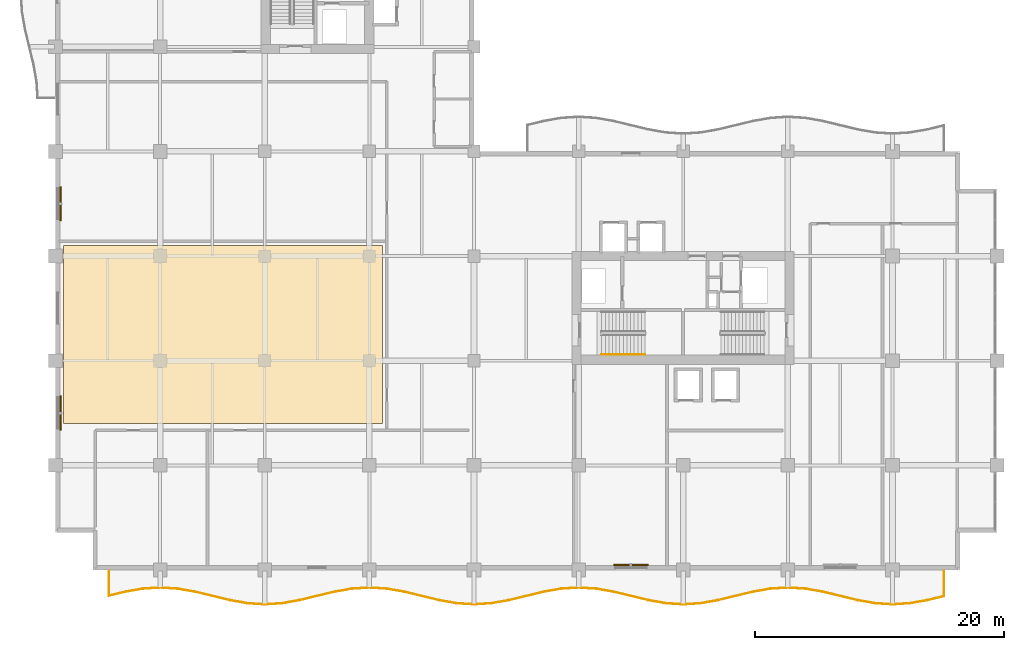
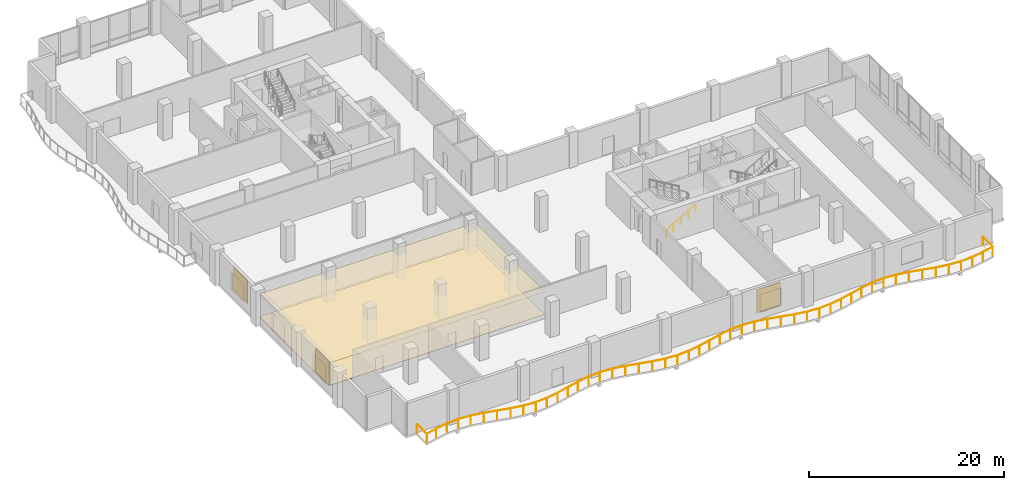
# One storey, part 22 of 25: 3 shading devices, 2 coverings, 2 railings.
"""IFC4 building model written with IfcOpenShell, lengths in metres."""

from ifc_helpers import new_model, si_unit, direction, frame, origin, origin_2d, place, context, subcontext, project, spatial, polyline, rectangle, circle, outline, extrude, material, layer, layer_set, type_object, element, save


model = new_model("IFC4")

# Units and contexts
model_context = context("Model", 3, precision=1e-05, world=origin(), true_north=direction((0.0, 1.0)))
body_context = subcontext(model_context, "Body", "Model", "MODEL_VIEW")
ifc_project = project(units=[si_unit("LENGTHUNIT", "METRE"), si_unit("AREAUNIT", "SQUARE_METRE"), si_unit("VOLUMEUNIT", "CUBIC_METRE"), si_unit("PLANEANGLEUNIT", "RADIAN"), si_unit("MASSUNIT", "GRAM", prefix="KILO")], contexts=[model_context])

# Site, building, storey
site_placement = place(None, origin())
site = spatial("IfcSite", under=ifc_project, at=site_placement, CompositionType="ELEMENT")
building_placement = place(site_placement, origin())
building = spatial("IfcBuilding", under=site, at=building_placement, Name="Koriwani Terraces Tower", CompositionType="ELEMENT")
storey_placement = place(building_placement, frame((0.0, 0.0, 157.60009765625)))
storey = spatial("IfcBuildingStorey", under=building, at=storey_placement, Name="L38", CompositionType="ELEMENT", Elevation=157.60009765625)

# Coverings
ifc_material_1 = material(Name="Fire-Rated Acoustic Gypsum Partition", Category="masonry")
ifc_layer_1 = layer(ifc_material_1, 0.02490234375, Name="Fire-Rated Acoustic Gypsum Partition")
ifc_layer_set_1 = layer_set([ifc_layer_1], Name="Fire-Rated Acoustic Gypsum Partition")
covering_type_1 = type_object("IfcCoveringType", Name="CEILING_ACOUSTIC_GYPSUM", PredefinedType="CEILING", material=ifc_layer_set_1)
covering_1_placement = place(storey_placement, frame((0.0, 0.0, 2.824951171875)))
element("IfcCovering", 1, at=covering_1_placement, inside=storey, type_object=covering_type_1, Name="L38 Suspended Acoustic Gypsum Ceiling", PredefinedType="CEILING", context=body_context, shape_type="SweptSolid", body=[
    extrude(outline(polyline([(0.64990234375, 11.75), (0.64990234375, 26.050048828125), (26.25, 26.050048828125), (26.25, 11.75), (0.64990234375, 11.75)])), origin(), (0.0, 0.0, 1.0), 0.02490234375),
])
ifc_material_2 = material(Name="Polished Andean Slate Flooring", Category="masonry")
ifc_layer_2 = layer(ifc_material_2, 0.030029296875, Name="Polished Andean Slate Flooring")
ifc_layer_set_2 = layer_set([ifc_layer_2], Name="Polished Andean Slate Flooring")
covering_type_2 = type_object("IfcCoveringType", Name="FLOORING_ANDEAN_STONE", PredefinedType="FLOORING", material=ifc_layer_set_2)
covering_2_placement = place(storey_placement, origin())
element("IfcCovering", 2, at=covering_2_placement, inside=storey, type_object=covering_type_2, Name="L38 Polished Andean Slate Floor Finish", PredefinedType="FLOORING", context=body_context, shape_type="SweptSolid", body=[
    extrude(outline(polyline([(0.64990234375, 11.75), (0.64990234375, 26.050048828125), (26.25, 26.050048828125), (26.25, 11.75), (0.64990234375, 11.75)])), origin(), (0.0, 0.0, 1.0), 0.02978515625),
])

# Railings
ifc_material_3 = material(Name="Steel ASTM A572 Grade 50", Category="steel")
railing_type_1 = type_object("IfcRailingType", Name="GUARD_BALUSTRADE_1150", PredefinedType="BALUSTRADE", material=ifc_material_3)
railing_1_placement = place(storey_placement, frame((4.280029296875, -0.080078125, 0.0)))
element("IfcRailing", 3, at=railing_1_placement, inside=storey, type_object=railing_type_1, Name="L38 Balcony Perimeter Safety Balustrade (S)", PredefinedType="BALUSTRADE", context=body_context, shape_type="SweptSolid", body=[
    extrude(circle(Radius=0.02392578125, at=origin_2d()), frame((0.0, 0.0, 1.1259765625), z_axis=(0.0, -1.0, 0.0), x_axis=(1.0, 0.0, 0.0)), (0.0, 0.0, 1.0), 1.993408203125),
    extrude(circle(Radius=0.02392578125, at=origin_2d()), frame((0.0, -1.993408203125, 1.1259765625), z_axis=(0.972163766848, 0.234302390999, 0.0), x_axis=(-0.234302390999, 0.972163766848, 0.0)), (0.0, 0.0, 1.0), 1.341064453125),
    extrude(circle(Radius=0.02392578125, at=origin_2d()), frame((1.3037109375, -1.67919921875, 1.1259765625), z_axis=(0.984778396698, 0.173814583381, 0.0), x_axis=(-0.173814583381, 0.984778396698, 0.0)), (0.0, 0.0, 1.0), 1.428466796875),
    extrude(circle(Radius=0.02392578125, at=origin_2d()), frame((2.71044921875, -1.430908203125, 1.1259765625), z_axis=(0.997930321615, 0.064304534842, 0.0), x_axis=(-0.064304534842, 0.997930321615, 0.0)), (0.0, 0.0, 1.0), 1.412353515625),
    extrude(circle(Radius=0.02392578125, at=origin_2d()), frame((4.119873046875, -1.340087890625, 1.1259765625), z_axis=(0.997931036226, -0.064293443969, 0.0), x_axis=(0.064293443969, 0.997931036226, 0.0)), (0.0, 0.0, 1.0), 1.41259765625),
    extrude(circle(Radius=0.02392578125, at=origin_2d()), frame((5.529541015625, -1.430908203125, 1.1259765625), z_axis=(0.984778396698, -0.173814583381, 0.0), x_axis=(0.173814583381, 0.984778396698, 0.0)), (0.0, 0.0, 1.0), 1.428466796875),
    extrude(circle(Radius=0.02392578125, at=origin_2d()), frame((6.936279296875, -1.67919921875, 1.1259765625), z_axis=(0.972166814785, -0.234289744186, 0.0), x_axis=(0.234289744186, 0.972166814785, 0.0)), (0.0, 0.0, 1.0), 2.880126953125),
    extrude(circle(Radius=0.02392578125, at=origin_2d()), frame((9.736328125, -2.35400390625, 1.1259765625), z_axis=(0.984757491153, -0.173932985997, 0.0), x_axis=(0.173932985997, 0.984757491153, 0.0)), (0.0, 0.0, 1.0), 1.414794921875),
    extrude(circle(Radius=0.02392578125, at=origin_2d()), frame((11.129638671875, -2.60009765625, 1.1259765625), z_axis=(0.997930027485, -0.064309099225, 0.0), x_axis=(0.064309099225, 0.997930027485, 0.0)), (0.0, 0.0, 1.0), 1.393310546875),
    extrude(circle(Radius=0.02392578125, at=origin_2d()), frame((12.52001953125, -2.689697265625, 1.1259765625), z_axis=(0.997930027485, 0.064309099225, 0.0), x_axis=(-0.064309099225, 0.997930027485, 0.0)), (0.0, 0.0, 1.0), 1.393310546875),
    extrude(circle(Radius=0.02392578125, at=origin_2d()), frame((13.910400390625, -2.60009765625, 1.1259765625), z_axis=(0.984757491153, 0.173932985997, 0.0), x_axis=(-0.173932985997, 0.984757491153, 0.0)), (0.0, 0.0, 1.0), 1.414794921875),
    extrude(circle(Radius=0.02392578125, at=origin_2d()), frame((15.3037109375, -2.35400390625, 1.1259765625), z_axis=(0.972166814785, 0.234289744186, 0.0), x_axis=(-0.234289744186, 0.972166814785, 0.0)), (0.0, 0.0, 1.0), 2.880126953125),
    extrude(circle(Radius=0.02392578125, at=origin_2d()), frame((18.103759765625, -1.67919921875, 1.1259765625), z_axis=(0.984778396698, 0.173814583381, 0.0), x_axis=(-0.173814583381, 0.984778396698, 0.0)), (0.0, 0.0, 1.0), 1.428466796875),
    extrude(circle(Radius=0.02392578125, at=origin_2d()), frame((19.510498046875, -1.430908203125, 1.1259765625), z_axis=(0.997930321615, 0.064304534842, 0.0), x_axis=(-0.064304534842, 0.997930321615, 0.0)), (0.0, 0.0, 1.0), 1.412353515625),
    extrude(circle(Radius=0.02392578125, at=origin_2d()), frame((20.919921875, -1.340087890625, 1.1259765625), z_axis=(0.997931036226, -0.064293443969, 0.0), x_axis=(0.064293443969, 0.997931036226, 0.0)), (0.0, 0.0, 1.0), 1.41259765625),
    extrude(circle(Radius=0.02392578125, at=origin_2d()), frame((22.32958984375, -1.430908203125, 1.1259765625), z_axis=(0.984778396698, -0.173814583381, 0.0), x_axis=(0.173814583381, 0.984778396698, 0.0)), (0.0, 0.0, 1.0), 1.428466796875),
    extrude(circle(Radius=0.02392578125, at=origin_2d()), frame((23.736328125, -1.67919921875, 1.1259765625), z_axis=(0.972166814785, -0.234289744186, 0.0), x_axis=(0.234289744186, 0.972166814785, 0.0)), (0.0, 0.0, 1.0), 2.880126953125),
    extrude(circle(Radius=0.02392578125, at=origin_2d()), frame((26.536376953125, -2.35400390625, 1.1259765625), z_axis=(0.984757491153, -0.173932985997, 0.0), x_axis=(0.173932985997, 0.984757491153, 0.0)), (0.0, 0.0, 1.0), 1.414794921875),
    extrude(circle(Radius=0.02392578125, at=origin_2d()), frame((27.9296875, -2.60009765625, 1.1259765625), z_axis=(0.997930027485, -0.064309099225, 0.0), x_axis=(0.064309099225, 0.997930027485, 0.0)), (0.0, 0.0, 1.0), 1.393310546875),
    extrude(circle(Radius=0.02392578125, at=origin_2d()), frame((29.320068359375, -2.689697265625, 1.1259765625), z_axis=(0.997930027485, 0.064309099225, 0.0), x_axis=(-0.064309099225, 0.997930027485, 0.0)), (0.0, 0.0, 1.0), 1.393310546875),
    extrude(circle(Radius=0.02392578125, at=origin_2d()), frame((30.71044921875, -2.60009765625, 1.1259765625), z_axis=(0.984757491153, 0.173932985997, 0.0), x_axis=(-0.173932985997, 0.984757491153, 0.0)), (0.0, 0.0, 1.0), 1.414794921875),
    extrude(circle(Radius=0.02392578125, at=origin_2d()), frame((32.103759765625, -2.35400390625, 1.1259765625), z_axis=(0.97216216133, 0.234309052487, 0.0), x_axis=(-0.234309052487, 0.97216216133, 0.0)), (0.0, 0.0, 1.0), 2.8798828125),
    extrude(circle(Radius=0.02392578125, at=origin_2d()), frame((34.903564453125, -1.67919921875, 1.1259765625), z_axis=(0.984783558818, 0.173785333909, 0.0), x_axis=(-0.173785333909, 0.984783558818, 0.0)), (0.0, 0.0, 1.0), 1.4287109375),
    extrude(circle(Radius=0.02392578125, at=origin_2d()), frame((36.310546875, -1.430908203125, 1.1259765625), z_axis=(0.997930321615, 0.064304534842, 0.0), x_axis=(-0.064304534842, 0.997930321615, 0.0)), (0.0, 0.0, 1.0), 1.412353515625),
    extrude(circle(Radius=0.02392578125, at=origin_2d()), frame((37.719970703125, -1.340087890625, 1.1259765625), z_axis=(0.997930321615, -0.064304534842, 0.0), x_axis=(0.064304534842, 0.997930321615, 0.0)), (0.0, 0.0, 1.0), 1.412353515625),
    extrude(circle(Radius=0.02392578125, at=origin_2d()), frame((39.12939453125, -1.430908203125, 1.1259765625), z_axis=(0.984783558818, -0.173785333909, 0.0), x_axis=(0.173785333909, 0.984783558818, 0.0)), (0.0, 0.0, 1.0), 1.4287109375),
    extrude(circle(Radius=0.02392578125, at=origin_2d()), frame((40.536376953125, -1.67919921875, 1.1259765625), z_axis=(0.97216216133, -0.234309052487, 0.0), x_axis=(0.234309052487, 0.97216216133, 0.0)), (0.0, 0.0, 1.0), 2.8798828125),
    extrude(circle(Radius=0.02392578125, at=origin_2d()), frame((43.336181640625, -2.35400390625, 1.1259765625), z_axis=(0.984757491153, -0.173932985997, 0.0), x_axis=(0.173932985997, 0.984757491153, 0.0)), (0.0, 0.0, 1.0), 1.414794921875),
    extrude(circle(Radius=0.02392578125, at=origin_2d()), frame((44.7294921875, -2.60009765625, 1.1259765625), z_axis=(0.997930027485, -0.064309099225, 0.0), x_axis=(0.064309099225, 0.997930027485, 0.0)), (0.0, 0.0, 1.0), 1.393310546875),
    extrude(circle(Radius=0.02392578125, at=origin_2d()), frame((46.119873046875, -2.689697265625, 1.1259765625), z_axis=(0.997930027485, 0.064309099225, 0.0), x_axis=(-0.064309099225, 0.997930027485, 0.0)), (0.0, 0.0, 1.0), 1.393310546875),
    extrude(circle(Radius=0.02392578125, at=origin_2d()), frame((47.51025390625, -2.60009765625, 1.1259765625), z_axis=(0.984757491153, 0.173932985997, 0.0), x_axis=(-0.173932985997, 0.984757491153, 0.0)), (0.0, 0.0, 1.0), 1.414794921875),
    extrude(circle(Radius=0.02392578125, at=origin_2d()), frame((48.903564453125, -2.35400390625, 1.1259765625), z_axis=(0.972166814785, 0.234289744186, 0.0), x_axis=(-0.234289744186, 0.972166814785, 0.0)), (0.0, 0.0, 1.0), 2.880126953125),
    extrude(circle(Radius=0.02392578125, at=origin_2d()), frame((51.70361328125, -1.67919921875, 1.1259765625), z_axis=(0.984778396698, 0.173814583381, 0.0), x_axis=(-0.173814583381, 0.984778396698, 0.0)), (0.0, 0.0, 1.0), 1.428466796875),
    extrude(circle(Radius=0.02392578125, at=origin_2d()), frame((53.1103515625, -1.430908203125, 1.1259765625), z_axis=(0.997931036226, 0.064293443969, 0.0), x_axis=(-0.064293443969, 0.997931036226, 0.0)), (0.0, 0.0, 1.0), 1.41259765625),
    extrude(circle(Radius=0.02392578125, at=origin_2d()), frame((54.52001953125, -1.340087890625, 1.1259765625), z_axis=(0.997930321615, -0.064304534842, 0.0), x_axis=(0.064304534842, 0.997930321615, 0.0)), (0.0, 0.0, 1.0), 1.412353515625),
    extrude(circle(Radius=0.02392578125, at=origin_2d()), frame((55.929443359375, -1.430908203125, 1.1259765625), z_axis=(0.984778396698, -0.173814583381, 0.0), x_axis=(0.173814583381, 0.984778396698, 0.0)), (0.0, 0.0, 1.0), 1.428466796875),
    extrude(circle(Radius=0.02392578125, at=origin_2d()), frame((57.336181640625, -1.67919921875, 1.1259765625), z_axis=(0.972166814785, -0.234289744186, 0.0), x_axis=(0.234289744186, 0.972166814785, 0.0)), (0.0, 0.0, 1.0), 2.880126953125),
    extrude(circle(Radius=0.02392578125, at=origin_2d()), frame((60.13623046875, -2.35400390625, 1.1259765625), z_axis=(0.984757491153, -0.173932985997, 0.0), x_axis=(0.173932985997, 0.984757491153, 0.0)), (0.0, 0.0, 1.0), 1.414794921875),
    extrude(circle(Radius=0.02392578125, at=origin_2d()), frame((61.529541015625, -2.60009765625, 1.1259765625), z_axis=(0.997930027485, -0.064309099225, 0.0), x_axis=(0.064309099225, 0.997930027485, 0.0)), (0.0, 0.0, 1.0), 1.393310546875),
    extrude(circle(Radius=0.02392578125, at=origin_2d()), frame((62.919921875, -2.689697265625, 1.1259765625), z_axis=(0.997930027485, 0.064309099225, 0.0), x_axis=(-0.064309099225, 0.997930027485, 0.0)), (0.0, 0.0, 1.0), 1.393310546875),
    extrude(circle(Radius=0.02392578125, at=origin_2d()), frame((64.310302734375, -2.60009765625, 1.1259765625), z_axis=(0.984757491153, 0.173932985997, 0.0), x_axis=(-0.173932985997, 0.984757491153, 0.0)), (0.0, 0.0, 1.0), 1.414794921875),
    extrude(circle(Radius=0.02392578125, at=origin_2d()), frame((65.70361328125, -2.35400390625, 1.1259765625), z_axis=(0.97217571982, 0.234252790362, 0.0), x_axis=(-0.234252790362, 0.97217571982, 0.0)), (0.0, 0.0, 1.0), 1.374755859375),
    extrude(circle(Radius=0.02392578125, at=origin_2d()), frame((67.0400390625, -2.031982421875, 1.1259765625), z_axis=(0.0, 1.0, 0.0), x_axis=(-1.0, 0.0, 0.0)), (0.0, 0.0, 1.0), 2.031982421875),
    extrude(circle(Radius=0.02099609375, at=origin_2d()), origin(), (0.0, 0.0, 1.0), 1.101806640625),
    extrude(circle(Radius=0.02099609375, at=origin_2d()), frame((0.0, -1.993408203125, 0.0)), (0.0, 0.0, 1.0), 1.101806640625),
    extrude(circle(Radius=0.02099609375, at=origin_2d()), frame((1.3037109375, -1.67919921875, 0.0)), (0.0, 0.0, 1.0), 1.101806640625),
    extrude(circle(Radius=0.02099609375, at=origin_2d()), frame((2.71044921875, -1.430908203125, 0.0)), (0.0, 0.0, 1.0), 1.101806640625),
    extrude(circle(Radius=0.02099609375, at=origin_2d()), frame((4.119873046875, -1.340087890625, 0.0)), (0.0, 0.0, 1.0), 1.101806640625),
    extrude(circle(Radius=0.02099609375, at=origin_2d()), frame((5.529541015625, -1.430908203125, 0.0)), (0.0, 0.0, 1.0), 1.101806640625),
    extrude(circle(Radius=0.02099609375, at=origin_2d()), frame((6.936279296875, -1.67919921875, 0.0)), (0.0, 0.0, 1.0), 1.101806640625),
    extrude(circle(Radius=0.02099609375, at=origin_2d()), frame((8.33642578125, -2.0166015625, 0.0)), (0.0, 0.0, 1.0), 1.101806640625),
    extrude(circle(Radius=0.02099609375, at=origin_2d()), frame((9.736328125, -2.35400390625, 0.0)), (0.0, 0.0, 1.0), 1.101806640625),
    extrude(circle(Radius=0.02099609375, at=origin_2d()), frame((11.129638671875, -2.60009765625, 0.0)), (0.0, 0.0, 1.0), 1.101806640625),
    extrude(circle(Radius=0.02099609375, at=origin_2d()), frame((12.52001953125, -2.689697265625, 0.0)), (0.0, 0.0, 1.0), 1.101806640625),
    extrude(circle(Radius=0.02099609375, at=origin_2d()), frame((13.910400390625, -2.60009765625, 0.0)), (0.0, 0.0, 1.0), 1.101806640625),
    extrude(circle(Radius=0.02099609375, at=origin_2d()), frame((15.3037109375, -2.35400390625, 0.0)), (0.0, 0.0, 1.0), 1.101806640625),
    extrude(circle(Radius=0.02099609375, at=origin_2d()), frame((16.70361328125, -2.0166015625, 0.0)), (0.0, 0.0, 1.0), 1.101806640625),
    extrude(circle(Radius=0.02099609375, at=origin_2d()), frame((18.103759765625, -1.67919921875, 0.0)), (0.0, 0.0, 1.0), 1.101806640625),
    extrude(circle(Radius=0.02099609375, at=origin_2d()), frame((19.510498046875, -1.430908203125, 0.0)), (0.0, 0.0, 1.0), 1.101806640625),
    extrude(circle(Radius=0.02099609375, at=origin_2d()), frame((20.919921875, -1.340087890625, 0.0)), (0.0, 0.0, 1.0), 1.101806640625),
    extrude(circle(Radius=0.02099609375, at=origin_2d()), frame((22.32958984375, -1.430908203125, 0.0)), (0.0, 0.0, 1.0), 1.101806640625),
    extrude(circle(Radius=0.02099609375, at=origin_2d()), frame((23.736328125, -1.67919921875, 0.0)), (0.0, 0.0, 1.0), 1.101806640625),
    extrude(circle(Radius=0.02099609375, at=origin_2d()), frame((25.13623046875, -2.0166015625, 0.0)), (0.0, 0.0, 1.0), 1.101806640625),
    extrude(circle(Radius=0.02099609375, at=origin_2d()), frame((26.536376953125, -2.35400390625, 0.0)), (0.0, 0.0, 1.0), 1.101806640625),
    extrude(circle(Radius=0.02099609375, at=origin_2d()), frame((27.9296875, -2.60009765625, 0.0)), (0.0, 0.0, 1.0), 1.101806640625),
    extrude(circle(Radius=0.02099609375, at=origin_2d()), frame((29.320068359375, -2.689697265625, 0.0)), (0.0, 0.0, 1.0), 1.101806640625),
    extrude(circle(Radius=0.02099609375, at=origin_2d()), frame((30.71044921875, -2.60009765625, 0.0)), (0.0, 0.0, 1.0), 1.101806640625),
    extrude(circle(Radius=0.02099609375, at=origin_2d()), frame((32.103759765625, -2.35400390625, 0.0)), (0.0, 0.0, 1.0), 1.101806640625),
    extrude(circle(Radius=0.02099609375, at=origin_2d()), frame((33.503662109375, -2.0166015625, 0.0)), (0.0, 0.0, 1.0), 1.101806640625),
    extrude(circle(Radius=0.02099609375, at=origin_2d()), frame((34.903564453125, -1.67919921875, 0.0)), (0.0, 0.0, 1.0), 1.101806640625),
    extrude(circle(Radius=0.02099609375, at=origin_2d()), frame((36.310546875, -1.430908203125, 0.0)), (0.0, 0.0, 1.0), 1.101806640625),
    extrude(circle(Radius=0.02099609375, at=origin_2d()), frame((37.719970703125, -1.340087890625, 0.0)), (0.0, 0.0, 1.0), 1.101806640625),
    extrude(circle(Radius=0.02099609375, at=origin_2d()), frame((39.12939453125, -1.430908203125, 0.0)), (0.0, 0.0, 1.0), 1.101806640625),
    extrude(circle(Radius=0.02099609375, at=origin_2d()), frame((40.536376953125, -1.67919921875, 0.0)), (0.0, 0.0, 1.0), 1.101806640625),
    extrude(circle(Radius=0.02099609375, at=origin_2d()), frame((41.936279296875, -2.0166015625, 0.0)), (0.0, 0.0, 1.0), 1.101806640625),
    extrude(circle(Radius=0.02099609375, at=origin_2d()), frame((43.336181640625, -2.35400390625, 0.0)), (0.0, 0.0, 1.0), 1.101806640625),
    extrude(circle(Radius=0.02099609375, at=origin_2d()), frame((44.7294921875, -2.60009765625, 0.0)), (0.0, 0.0, 1.0), 1.101806640625),
    extrude(circle(Radius=0.02099609375, at=origin_2d()), frame((46.119873046875, -2.689697265625, 0.0)), (0.0, 0.0, 1.0), 1.101806640625),
    extrude(circle(Radius=0.02099609375, at=origin_2d()), frame((47.51025390625, -2.60009765625, 0.0)), (0.0, 0.0, 1.0), 1.101806640625),
    extrude(circle(Radius=0.02099609375, at=origin_2d()), frame((48.903564453125, -2.35400390625, 0.0)), (0.0, 0.0, 1.0), 1.101806640625),
    extrude(circle(Radius=0.02099609375, at=origin_2d()), frame((50.3037109375, -2.0166015625, 0.0)), (0.0, 0.0, 1.0), 1.101806640625),
    extrude(circle(Radius=0.02099609375, at=origin_2d()), frame((51.70361328125, -1.67919921875, 0.0)), (0.0, 0.0, 1.0), 1.101806640625),
    extrude(circle(Radius=0.02099609375, at=origin_2d()), frame((53.1103515625, -1.430908203125, 0.0)), (0.0, 0.0, 1.0), 1.101806640625),
    extrude(circle(Radius=0.02099609375, at=origin_2d()), frame((54.52001953125, -1.340087890625, 0.0)), (0.0, 0.0, 1.0), 1.101806640625),
    extrude(circle(Radius=0.02099609375, at=origin_2d()), frame((55.929443359375, -1.430908203125, 0.0)), (0.0, 0.0, 1.0), 1.101806640625),
    extrude(circle(Radius=0.02099609375, at=origin_2d()), frame((57.336181640625, -1.67919921875, 0.0)), (0.0, 0.0, 1.0), 1.101806640625),
    extrude(circle(Radius=0.02099609375, at=origin_2d()), frame((58.736328125, -2.0166015625, 0.0)), (0.0, 0.0, 1.0), 1.101806640625),
    extrude(circle(Radius=0.02099609375, at=origin_2d()), frame((60.13623046875, -2.35400390625, 0.0)), (0.0, 0.0, 1.0), 1.101806640625),
    extrude(circle(Radius=0.02099609375, at=origin_2d()), frame((61.529541015625, -2.60009765625, 0.0)), (0.0, 0.0, 1.0), 1.101806640625),
    extrude(circle(Radius=0.02099609375, at=origin_2d()), frame((62.919921875, -2.689697265625, 0.0)), (0.0, 0.0, 1.0), 1.101806640625),
    extrude(circle(Radius=0.02099609375, at=origin_2d()), frame((64.310302734375, -2.60009765625, 0.0)), (0.0, 0.0, 1.0), 1.101806640625),
    extrude(circle(Radius=0.02099609375, at=origin_2d()), frame((65.70361328125, -2.35400390625, 0.0)), (0.0, 0.0, 1.0), 1.101806640625),
    extrude(circle(Radius=0.02099609375, at=origin_2d()), frame((67.0400390625, -2.031982421875, 0.0)), (0.0, 0.0, 1.0), 1.101806640625),
    extrude(circle(Radius=0.02099609375, at=origin_2d()), frame((67.0400390625, 0.0, 0.0)), (0.0, 0.0, 1.0), 1.101806640625),
])
railing_type_2 = type_object("IfcRailingType", Name="HANDRAIL_STAIR_920", PredefinedType="HANDRAIL", material=ifc_material_3)
railing_2_placement = place(storey_placement, frame((43.85009765625, 17.300048828125, 0.169189453125)))
element("IfcRailing", 4, at=railing_2_placement, inside=storey, type_object=railing_type_2, Name="L38 ST-E1 stair handrail 1", PredefinedType="HANDRAIL", context=body_context, shape_type="SweptSolid", body=[
    extrude(circle(Radius=0.02392578125, at=origin_2d()), frame((0.0, 0.0, 0.8759765625), z_axis=(0.863695377172, 0.0, 0.504014181796), x_axis=(0.0, 1.0, 0.0)), (0.0, 0.0, 1.0), 4.029296875),
    extrude(circle(Radius=0.02099609375, at=origin_2d()), origin(), (0.0, 0.0, 1.0), 0.851806640625),
    extrude(circle(Radius=0.02099609375, at=origin_2d()), frame((0.8701171875, 0.0, 0.5078125)), (0.0, 0.0, 1.0), 0.851806640625),
    extrude(circle(Radius=0.02099609375, at=origin_2d()), frame((1.739990234375, 0.0, 1.015380859375)), (0.0, 0.0, 1.0), 0.851806640625),
    extrude(circle(Radius=0.02099609375, at=origin_2d()), frame((2.60986328125, 0.0, 1.52294921875)), (0.0, 0.0, 1.0), 0.851806640625),
    extrude(circle(Radius=0.02099609375, at=origin_2d()), frame((3.47998046875, 0.0, 2.03076171875)), (0.0, 0.0, 1.0), 0.851806640625),
])

# Shading devices
ifc_material_4 = material(Name="Extruded Terracotta Clay", Category="masonry")
ifc_layer_3 = layer(ifc_material_4, 0.1201171875, Name="Extruded Terracotta Clay")
ifc_layer_set_3 = layer_set([ifc_layer_3], Name="Extruded Terracotta Clay")
shading_device_type = type_object("IfcShadingDeviceType", Name="TERRACOTTA_BAGUETTE_SCREEN_2800", PredefinedType="USERDEFINED", material=ifc_layer_set_3)
for number, where, z_axis, x_axis, name in (
    (5, (0.405029296875, 12.60009765625, 0.574951171875), (0.0, 0.0, 1.0), (0.0, 1.0, 0.0), "L38 Extruded Terracotta Baguette Screen (W-3)"),
    (6, (0.405029296875, 29.39990234375, 0.574951171875), (0.0, 0.0, 1.0), (0.0, 1.0, 0.0), "L38 Extruded Terracotta Baguette Screen (W-9)"),
    (7, (46.199951171875, 0.405029296875, 0.574951171875), (0.0, 0.0, 1.0), (-1.0, 0.0, 0.0), "L38 Extruded Terracotta Baguette Screen (S-15)"),
):
    element("IfcShadingDevice", number, at=place(storey_placement, frame(where, z_axis=z_axis, x_axis=x_axis)), inside=storey, type_object=shading_device_type, Name=name, ObjectType="BAGUETTE", PredefinedType="USERDEFINED", context=body_context, shape_type="SweptSolid", body=[
        extrude(rectangle(XDim=2.760009765625, YDim=0.1201171875, at=origin_2d()), origin(), (0.0, 0.0, 1.0), 2.89990234375),
    ])

save(model, "model.ifc")
